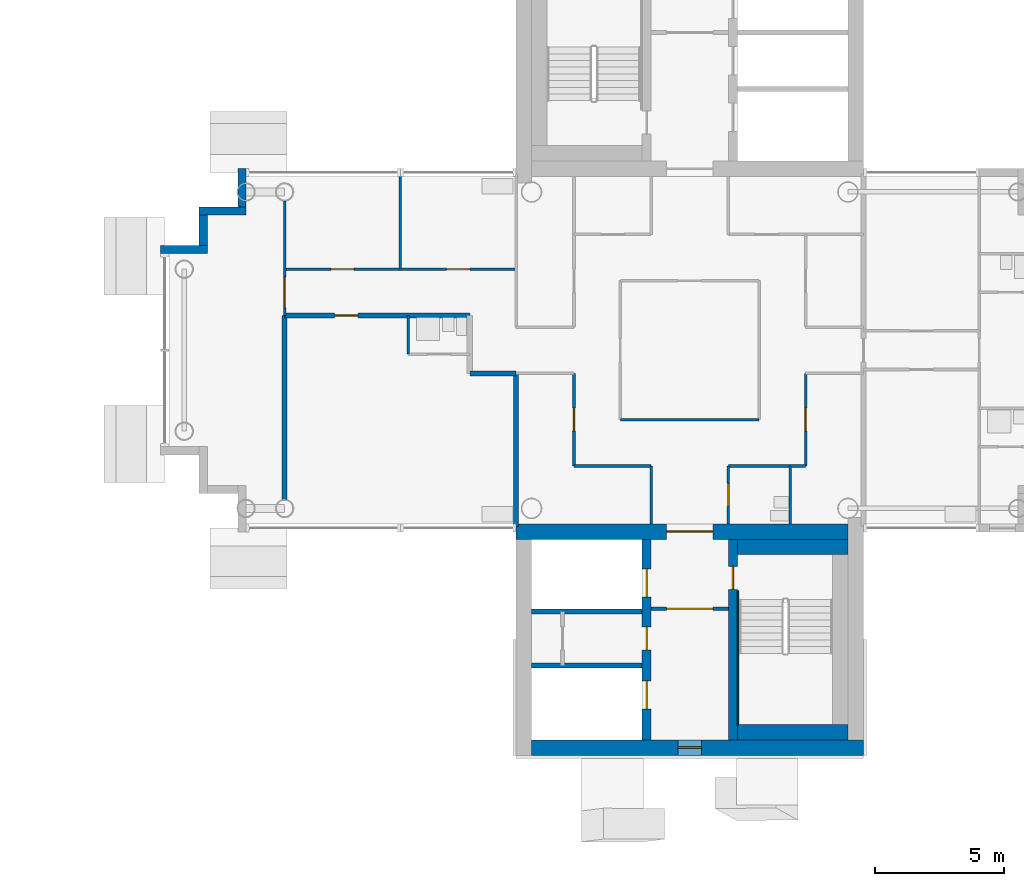
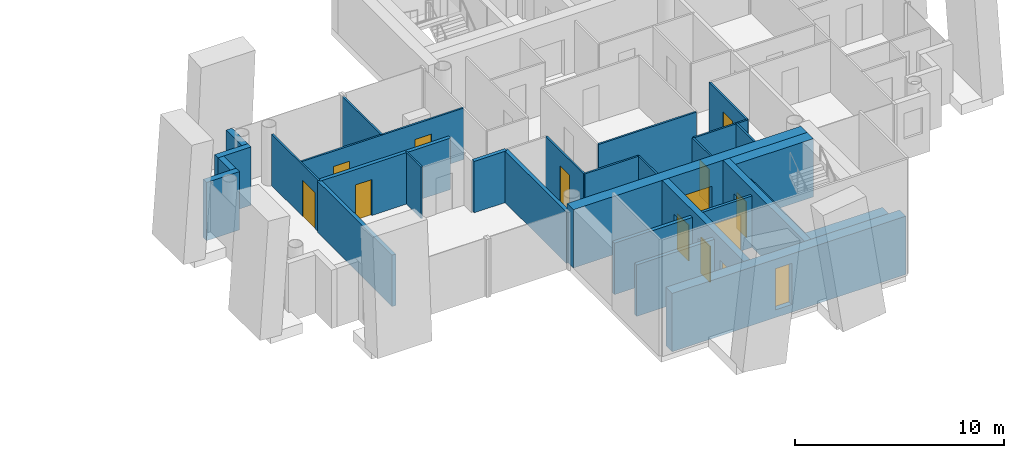
# One storey, part 9 of 19: 30 walls, 13 doors, 1 window, 14 openings.
"""IFC4 building model written with IfcOpenShell, lengths in metres."""

from ifc_helpers import new_model, si_unit, direction, frame, frame_2d, origin, place, context, subcontext, project, spatial, rectangle, extrude, material, layer, layer_set, type_object, element, fill, save


model = new_model("IFC4")

# Units and contexts
model_context = context("Model", 3, precision=1e-05, world=origin(), true_north=direction((0.0, 1.0)))
body_context = subcontext(model_context, "Body", "Model", "MODEL_VIEW")
ifc_project = project(units=[si_unit("LENGTHUNIT", "METRE"), si_unit("AREAUNIT", "SQUARE_METRE"), si_unit("VOLUMEUNIT", "CUBIC_METRE"), si_unit("PLANEANGLEUNIT", "RADIAN"), si_unit("MASSUNIT", "GRAM", prefix="KILO")], contexts=[model_context])

# Site, building, storey
site_placement = place(None, origin())
site = spatial("IfcSite", under=ifc_project, at=site_placement, CompositionType="ELEMENT")
building_placement = place(site_placement, origin())
building = spatial("IfcBuilding", under=site, at=building_placement, Name="Ipe Terrace Towers", CompositionType="ELEMENT")
storey_placement = place(building_placement, frame((0.0, 0.0, 189.199951171875)))
storey = spatial("IfcBuildingStorey", under=building, at=storey_placement, Name="L52", CompositionType="ELEMENT", Elevation=189.199951171875)

# Walls
ifc_material_1 = material(Name="Concrete C40/50 with buff precast cladding", Category="concrete")
ifc_layer_1 = layer(ifc_material_1, 0.320068359375)
ifc_layer_set_1 = layer_set([ifc_layer_1], Name="BUFF CLADDING WALL 320")
wall_type_1 = type_object("IfcWallType", Name="BUFF CLADDING WALL 320", PredefinedType="STANDARD", material=ifc_layer_set_1)
wall_1_placement = place(storey_placement, frame((18.590087890625, 7.070068359375, -0.300048828125), z_axis=(0.0, 0.0, 1.0), x_axis=(0.0, -1.0, 0.0)))
element("IfcWall", 1, at=wall_1_placement, inside=storey, type_object=wall_type_1, Name="T2-W-L52-22a wall", PredefinedType="STANDARD", context=body_context, shape_type="SweptSolid", body=[
    extrude(rectangle(XDim=1.5, YDim=0.320068359375, at=frame_2d((0.75, 0.0))), origin(), (0.0, 0.0, 1.0), 3.400146484375),
])
wall_2_placement = place(storey_placement, frame((18.75, 5.409912109375, -0.300048828125), z_axis=(0.0, 0.0, 1.0), x_axis=(-1.0, 0.0, 0.0)))
element("IfcWall", 2, at=wall_2_placement, inside=storey, type_object=wall_type_1, Name="T2-W-L52-23a wall", PredefinedType="STANDARD", context=body_context, shape_type="SweptSolid", body=[
    extrude(rectangle(XDim=1.820068359375, YDim=0.320068359375, at=frame_2d((0.91015625, 0.0))), origin(), (0.0, 0.0, 1.0), 3.400146484375),
])
wall_3_placement = place(storey_placement, frame((17.090087890625, 5.25, -0.300048828125), z_axis=(0.0, 0.0, 1.0), x_axis=(0.0, -1.0, 0.0)))
element("IfcWall", 3, at=wall_3_placement, inside=storey, type_object=wall_type_1, Name="T2-W-L52-24a wall", PredefinedType="STANDARD", context=body_context, shape_type="SweptSolid", body=[
    extrude(rectangle(XDim=1.179931640625, YDim=0.320068359375, at=frame_2d((0.58984375, 0.0))), origin(), (0.0, 0.0, 1.0), 3.400146484375),
])
wall_4_placement = place(storey_placement, frame((17.25, 3.909912109375, -0.300048828125), z_axis=(0.0, 0.0, 1.0), x_axis=(-1.0, 0.0, 0.0)))
element("IfcWall", 4, at=wall_4_placement, inside=storey, type_object=wall_type_1, Name="T2-W-L52-25a wall", PredefinedType="STANDARD", context=body_context, shape_type="SweptSolid", body=[
    extrude(rectangle(XDim=1.820068359375, YDim=0.320068359375, at=frame_2d((0.91015625, 0.0))), origin(), (0.0, 0.0, 1.0), 3.400146484375),
])
ifc_material_2 = material(Name="Gypsum board partition", Category="plasterboard")
ifc_layer_2 = layer(ifc_material_2, 0.10009765625)
ifc_layer_set_2 = layer_set([ifc_layer_2], Name="Gypsum board partition 100 mm")
wall_type_2 = type_object("IfcWallType", Name="Gypsum board partition 100 mm", PredefinedType="PARTITIONING", material=ifc_layer_set_2)
for number, where, z_axis, x_axis, name in (
    (5, (40.5, -4.5, 0.0), (0.0, 0.0, 1.0), (-1.0, 0.0, 0.0), "Gypsum board partition T2 L52 W01"),
    (6, (34.5, -4.5, 0.0), (0.0, 0.0, 1.0), (-1.0, 0.0, 0.0), "Gypsum board partition T2 L52 W02"),
):
    element("IfcWall", number, at=place(storey_placement, frame(where, z_axis=z_axis, x_axis=x_axis)), inside=storey, type_object=wall_type_2, Name=name, PredefinedType="PARTITIONING", context=body_context, shape_type="SweptSolid", body=[
        extrude(rectangle(XDim=3.0, YDim=0.10009765625, at=frame_2d((1.5, 0.0))), origin(), (0.0, 0.0, 1.0), 3.0),
    ])
wall_5_placement = place(storey_placement, frame((38.699951171875, -2.699951171875, 0.0), z_axis=(0.0, 0.0, 1.0), x_axis=(-1.0, 0.0, 0.0)))
element("IfcWall", 7, at=wall_5_placement, inside=storey, type_object=wall_type_2, Name="Gypsum board partition T2 L52 W04", PredefinedType="PARTITIONING", context=body_context, shape_type="SweptSolid", body=[
    extrude(rectangle(XDim=5.39990234375, YDim=0.10009765625, at=frame_2d((2.699951171875, 0.0))), origin(), (0.0, 0.0, 1.0), 3.0),
])

# Wall, openings, doors
wall_6_placement = place(storey_placement, frame((29.25, 3.14990234375, 0.0), z_axis=(0.0, 0.0, 1.0), x_axis=(-1.0, 0.0, 0.0)))
wall_6 = element("IfcWall", 8, at=wall_6_placement, inside=storey, type_object=wall_type_2, Name="Gypsum board partition T2 L52 W17", PredefinedType="PARTITIONING", context=body_context, shape_type="SweptSolid", body=[
    extrude(rectangle(XDim=9.0, YDim=0.10009765625, at=frame_2d((4.5, 0.0))), origin(), (0.0, 0.0, 1.0), 3.0),
])
opening_1_placement = place(wall_6_placement, frame((1.800048828125, 0.0, 0.0)))
opening_1 = element("IfcOpeningElement", 9, at=opening_1_placement, cuts=wall_6, Name="Opening T2-Z4C-12", PredefinedType="OPENING", context=body_context, shape_type="SweptSolid", body=[
    extrude(rectangle(XDim=0.89990234375, YDim=2.10009765625, at=frame_2d((0.449951171875, 1.050048828125))), frame((0.0, 0.06005859375, 0.0), z_axis=(0.0, -1.0, 0.0), x_axis=(1.0, 0.0, 0.0)), (0.0, 0.0, 1.0), 0.1201171875),
])
opening_2_placement = place(wall_6_placement, frame((6.300048828125, 0.0, 0.0)))
opening_2 = element("IfcOpeningElement", 10, at=opening_2_placement, cuts=wall_6, Name="Opening T2-Z4C-13", PredefinedType="OPENING", context=body_context, shape_type="SweptSolid", body=[
    extrude(rectangle(XDim=0.89990234375, YDim=2.10009765625, at=frame_2d((0.449951171875, 1.050048828125))), frame((0.0, 0.06005859375, 0.0), z_axis=(0.0, -1.0, 0.0), x_axis=(1.0, 0.0, 0.0)), (0.0, 0.0, 1.0), 0.1201171875),
])
ifc_material_3 = material(Name="Timber door leaf", Category="wood")
door_type_1 = type_object("IfcDoorType", Name="Lounge door 900 x 2100", OperationType="NOTDEFINED", PredefinedType="DOOR", material=ifc_material_3)
door_1_placement = place(opening_1_placement, origin())
door_1 = element("IfcDoor", 11, at=door_1_placement, inside=storey, type_object=door_type_1, Name="Lounge door T2-Z4C-12", OperationType="SINGLE_SWING_LEFT", OverallHeight=2.10009765625, OverallWidth=0.89990234375, PredefinedType="DOOR", context=body_context, shape_type="SweptSolid", body=[
    extrude(rectangle(XDim=0.89990234375, YDim=2.10009765625, at=frame_2d((0.449951171875, 1.050048828125))), frame((0.0, 0.02490234375, 0.0), z_axis=(0.0, -1.0, 0.0), x_axis=(1.0, 0.0, 0.0)), (0.0, 0.0, 1.0), 0.050048828125),
])
fill(opening_1, door_1)
door_2_placement = place(opening_2_placement, origin())
door_2 = element("IfcDoor", 12, at=door_2_placement, inside=storey, type_object=door_type_1, Name="Lounge door T2-Z4C-13", OperationType="SINGLE_SWING_RIGHT", OverallHeight=2.10009765625, OverallWidth=0.89990234375, PredefinedType="DOOR", context=body_context, shape_type="SweptSolid", body=[
    extrude(rectangle(XDim=0.89990234375, YDim=2.10009765625, at=frame_2d((0.449951171875, 1.050048828125))), frame((0.0, 0.02490234375, 0.0), z_axis=(0.0, -1.0, 0.0), x_axis=(1.0, 0.0, 0.0)), (0.0, 0.0, 1.0), 0.050048828125),
])
fill(opening_2, door_2)

# Wall, opening, door
wall_7_placement = place(storey_placement, frame((40.5, -4.5, 0.0), z_axis=(0.0, 0.0, 1.0), x_axis=(0.0, 1.0, 0.0)))
wall_7 = element("IfcWall", 13, at=wall_7_placement, inside=storey, type_object=wall_type_2, Name="Gypsum board partition T2 L52 W25", PredefinedType="PARTITIONING", context=body_context, shape_type="SweptSolid", body=[
    extrude(rectangle(XDim=3.60009765625, YDim=0.10009765625, at=frame_2d((1.800048828125, 0.0))), origin(), (0.0, 0.0, 1.0), 3.0),
])
opening_3_placement = place(wall_7_placement, frame((1.35009765625, 0.0, 0.0)))
opening_3 = element("IfcOpeningElement", 14, at=opening_3_placement, cuts=wall_7, Name="Opening T2-Z4C-07", PredefinedType="OPENING", context=body_context, shape_type="SweptSolid", body=[
    extrude(rectangle(XDim=0.89990234375, YDim=2.10009765625, at=frame_2d((0.449951171875, 1.050048828125))), frame((0.0, 0.06005859375, 0.0), z_axis=(0.0, -1.0, 0.0), x_axis=(1.0, 0.0, 0.0)), (0.0, 0.0, 1.0), 0.1201171875),
])
door_3_placement = place(opening_3_placement, origin())
door_3 = element("IfcDoor", 15, at=door_3_placement, inside=storey, type_object=door_type_1, Name="Lounge door T2-Z4C-07", OperationType="SINGLE_SWING_LEFT", OverallHeight=2.10009765625, OverallWidth=0.89990234375, PredefinedType="DOOR", context=body_context, shape_type="SweptSolid", body=[
    extrude(rectangle(XDim=0.89990234375, YDim=2.10009765625, at=frame_2d((0.449951171875, 1.050048828125))), frame((0.0, 0.02490234375, 0.0), z_axis=(0.0, -1.0, 0.0), x_axis=(1.0, 0.0, 0.0)), (0.0, 0.0, 1.0), 0.050048828125),
])
fill(opening_3, door_3)

# Wall
wall_8_placement = place(storey_placement, frame((39.89990234375, -6.75, 0.0), z_axis=(0.0, 0.0, 1.0), x_axis=(0.0, 1.0, 0.0)))
element("IfcWall", 16, at=wall_8_placement, inside=storey, type_object=wall_type_2, Name="Gypsum board partition T2 L52 W27", PredefinedType="PARTITIONING", context=body_context, shape_type="SweptSolid", body=[
    extrude(rectangle(XDim=2.25, YDim=0.10009765625, at=frame_2d((1.125, 0.0))), origin(), (0.0, 0.0, 1.0), 3.0),
])

# Wall, opening, door
wall_9_placement = place(storey_placement, frame((37.5, -6.75, 0.0), z_axis=(0.0, 0.0, 1.0), x_axis=(0.0, 1.0, 0.0)))
wall_9 = element("IfcWall", 17, at=wall_9_placement, inside=storey, type_object=wall_type_2, Name="Gypsum board partition T2 L52 W29", PredefinedType="PARTITIONING", context=body_context, shape_type="SweptSolid", body=[
    extrude(rectangle(XDim=2.25, YDim=0.10009765625, at=frame_2d((1.125, 0.0))), origin(), (0.0, 0.0, 1.0), 3.0),
])
opening_4_placement = place(wall_9_placement, frame((0.675048828125, 0.0, 0.0)))
opening_4 = element("IfcOpeningElement", 18, at=opening_4_placement, cuts=wall_9, Name="Opening T2-Z4C-03", PredefinedType="OPENING", context=body_context, shape_type="SweptSolid", body=[
    extrude(rectangle(XDim=0.89990234375, YDim=2.10009765625, at=frame_2d((0.449951171875, 1.050048828125))), frame((0.0, 0.06005859375, 0.0), z_axis=(0.0, -1.0, 0.0), x_axis=(1.0, 0.0, 0.0)), (0.0, 0.0, 1.0), 0.1201171875),
])
ifc_material_4 = material(Name="Timber door leaf", Category="wood")
door_type_2 = type_object("IfcDoorType", Name="Bathroom door 900 x 2100", OperationType="NOTDEFINED", PredefinedType="DOOR", material=ifc_material_4)
door_4_placement = place(opening_4_placement, origin())
door_4 = element("IfcDoor", 19, at=door_4_placement, inside=storey, type_object=door_type_2, Name="Bathroom door T2-Z4C-03", OperationType="SINGLE_SWING_RIGHT", OverallHeight=2.10009765625, OverallWidth=0.89990234375, PredefinedType="DOOR", context=body_context, shape_type="SweptSolid", body=[
    extrude(rectangle(XDim=0.89990234375, YDim=2.10009765625, at=frame_2d((0.449951171875, 1.050048828125))), frame((0.0, 0.02490234375, 0.0), z_axis=(0.0, -1.0, 0.0), x_axis=(1.0, 0.0, 0.0)), (0.0, 0.0, 1.0), 0.050048828125),
])
fill(opening_4, door_4)

# Wall
wall_10_placement = place(storey_placement, frame((34.5, -6.75, 0.0), z_axis=(0.0, 0.0, 1.0), x_axis=(0.0, 1.0, 0.0)))
element("IfcWall", 20, at=wall_10_placement, inside=storey, type_object=wall_type_2, Name="Gypsum board partition T2 L52 W31", PredefinedType="PARTITIONING", context=body_context, shape_type="SweptSolid", body=[
    extrude(rectangle(XDim=2.25, YDim=0.10009765625, at=frame_2d((1.125, 0.0))), origin(), (0.0, 0.0, 1.0), 3.0),
])

# Wall, opening, door
wall_11_placement = place(storey_placement, frame((31.5, -4.5, 0.0), z_axis=(0.0, 0.0, 1.0), x_axis=(0.0, 1.0, 0.0)))
wall_11 = element("IfcWall", 21, at=wall_11_placement, inside=storey, type_object=wall_type_2, Name="Gypsum board partition T2 L52 W34", PredefinedType="PARTITIONING", context=body_context, shape_type="SweptSolid", body=[
    extrude(rectangle(XDim=3.60009765625, YDim=0.10009765625, at=frame_2d((1.800048828125, 0.0))), origin(), (0.0, 0.0, 1.0), 3.0),
])
opening_5_placement = place(wall_11_placement, frame((1.35009765625, 0.0, 0.0)))
opening_5 = element("IfcOpeningElement", 22, at=opening_5_placement, cuts=wall_11, Name="Opening T2-Z4C-06", PredefinedType="OPENING", context=body_context, shape_type="SweptSolid", body=[
    extrude(rectangle(XDim=0.89990234375, YDim=2.10009765625, at=frame_2d((0.449951171875, 1.050048828125))), frame((0.0, 0.06005859375, 0.0), z_axis=(0.0, -1.0, 0.0), x_axis=(1.0, 0.0, 0.0)), (0.0, 0.0, 1.0), 0.1201171875),
])
door_5_placement = place(opening_5_placement, origin())
door_5 = element("IfcDoor", 23, at=door_5_placement, inside=storey, type_object=door_type_1, Name="Lounge door T2-Z4C-06", OperationType="SINGLE_SWING_LEFT", OverallHeight=2.10009765625, OverallWidth=0.89990234375, PredefinedType="DOOR", context=body_context, shape_type="SweptSolid", body=[
    extrude(rectangle(XDim=0.89990234375, YDim=2.10009765625, at=frame_2d((0.449951171875, 1.050048828125))), frame((0.0, 0.02490234375, 0.0), z_axis=(0.0, -1.0, 0.0), x_axis=(1.0, 0.0, 0.0)), (0.0, 0.0, 1.0), 0.050048828125),
])
fill(opening_5, door_5)

# Walls
wall_12_placement = place(storey_placement, frame((25.050048828125, -0.14990234375, 0.0), z_axis=(0.0, 0.0, 1.0), x_axis=(0.0, 1.0, 0.0)))
element("IfcWall", 24, at=wall_12_placement, inside=storey, type_object=wall_type_2, Name="Gypsum board partition T2 L52 W39", PredefinedType="PARTITIONING", context=body_context, shape_type="SweptSolid", body=[
    extrude(rectangle(XDim=1.5, YDim=0.10009765625, at=frame_2d((0.75, 0.0))), origin(), (0.0, 0.0, 1.0), 3.0),
])
wall_13_placement = place(storey_placement, frame((24.75, 3.14990234375, 0.0), z_axis=(0.0, 0.0, 1.0), x_axis=(0.0, 1.0, 0.0)))
element("IfcWall", 25, at=wall_13_placement, inside=storey, type_object=wall_type_2, Name="Gypsum board partition T2 L52 W40", PredefinedType="PARTITIONING", context=body_context, shape_type="SweptSolid", body=[
    extrude(rectangle(XDim=3.7001953125, YDim=0.10009765625, at=frame_2d((1.85009765625, 0.0))), origin(), (0.0, 0.0, 1.0), 3.0),
])

# Wall, opening, door
wall_14_placement = place(storey_placement, frame((20.25, 1.35009765625, 0.0), z_axis=(0.0, 0.0, 1.0), x_axis=(0.0, 1.0, 0.0)))
wall_14 = element("IfcWall", 26, at=wall_14_placement, inside=storey, type_object=wall_type_2, Name="Gypsum board partition T2 L52 W41", PredefinedType="PARTITIONING", context=body_context, shape_type="SweptSolid", body=[
    extrude(rectangle(XDim=4.449951171875, YDim=0.10009765625, at=frame_2d((2.22509765625, 0.0))), origin(), (0.0, 0.0, 1.0), 3.0),
])
opening_6_placement = place(wall_14_placement, frame((0.300048828125, 0.0, 0.0)))
opening_6 = element("IfcOpeningElement", 27, at=opening_6_placement, cuts=wall_14, Name="Opening T2-Z4C-14", PredefinedType="OPENING", context=body_context, shape_type="SweptSolid", body=[
    extrude(rectangle(XDim=1.199951171875, YDim=2.10009765625, at=frame_2d((0.60009765625, 1.050048828125))), frame((0.0, 0.06005859375, 0.0), z_axis=(0.0, -1.0, 0.0), x_axis=(1.0, 0.0, 0.0)), (0.0, 0.0, 1.0), 0.1201171875),
])
ifc_material_5 = material(Name="Timber door leaf", Category="wood")
door_type_3 = type_object("IfcDoorType", Name="Lounge door 1200 x 2100", OperationType="NOTDEFINED", PredefinedType="DOOR", material=ifc_material_5)
door_6_placement = place(opening_6_placement, origin())
door_6 = element("IfcDoor", 28, at=door_6_placement, inside=storey, type_object=door_type_3, Name="Lounge door T2-Z4C-14", OperationType="SINGLE_SWING_RIGHT", OverallHeight=2.10009765625, OverallWidth=1.199951171875, PredefinedType="DOOR", context=body_context, shape_type="SweptSolid", body=[
    extrude(rectangle(XDim=1.199951171875, YDim=2.10009765625, at=frame_2d((0.60009765625, 1.050048828125))), frame((0.0, 0.02490234375, 0.0), z_axis=(0.0, -1.0, 0.0), x_axis=(1.0, 0.0, 0.0)), (0.0, 0.0, 1.0), 0.050048828125),
])
fill(opening_6, door_6)

ifc_material_6 = material(Name="Gypsum board partition", Category="plasterboard")
ifc_layer_3 = layer(ifc_material_6, 0.14990234375)
ifc_layer_set_3 = layer_set([ifc_layer_3], Name="Gypsum board partition 150 mm")
wall_type_3 = type_object("IfcWallType", Name="Gypsum board partition 150 mm", PredefinedType="PARTITIONING", material=ifc_layer_set_3)
wall_15_placement = place(storey_placement, frame((34.5, -10.050048828125, 0.0), z_axis=(0.0, 0.0, 1.0), x_axis=(1.0, 0.0, 0.0)))
wall_15 = element("IfcWall", 29, at=wall_15_placement, inside=storey, type_object=wall_type_3, Name="Gypsum board partition T2 L52 t2c2-lobby-wall", PredefinedType="PARTITIONING", context=body_context, shape_type="SweptSolid", body=[
    extrude(rectangle(XDim=3.0, YDim=0.14990234375, at=frame_2d((1.5, 0.0))), origin(), (0.0, 0.0, 1.0), 3.0),
])
opening_7_placement = place(wall_15_placement, frame((0.60009765625, 0.0, 0.0)))
opening_7 = element("IfcOpeningElement", 30, at=opening_7_placement, cuts=wall_15, Name="Opening T2C2-VD", PredefinedType="OPENING", context=body_context, shape_type="SweptSolid", body=[
    extrude(rectangle(XDim=1.800048828125, YDim=2.10009765625, at=frame_2d((0.89990234375, 1.050048828125))), frame((0.0, 0.0849609375, 0.0), z_axis=(0.0, -1.0, 0.0), x_axis=(1.0, 0.0, 0.0)), (0.0, 0.0, 1.0), 0.169921875),
])
ifc_material_7 = material(Name="Fire-rated timber door leaf", Category="wood")
door_type_4 = type_object("IfcDoorType", Name="Lobby door 1800 x 2100 FD60", OperationType="NOTDEFINED", PredefinedType="DOOR", material=ifc_material_7)
door_7_placement = place(opening_7_placement, origin())
door_7 = element("IfcDoor", 31, at=door_7_placement, inside=storey, type_object=door_type_4, Name="Lobby door T2C2-VD", OperationType="SINGLE_SWING_LEFT", OverallHeight=2.10009765625, OverallWidth=1.800048828125, PredefinedType="DOOR", context=body_context, shape_type="SweptSolid", body=[
    extrude(rectangle(XDim=1.800048828125, YDim=2.10009765625, at=frame_2d((0.89990234375, 1.050048828125))), frame((0.0, 0.02490234375, 0.0), z_axis=(0.0, -1.0, 0.0), x_axis=(1.0, 0.0, 0.0)), (0.0, 0.0, 1.0), 0.050048828125),
])
fill(opening_7, door_7)

# Walls
ifc_material_8 = material(Name="Gypsum board party wall", Category="plasterboard")
ifc_layer_4 = layer(ifc_material_8, 0.199951171875)
ifc_layer_set_4 = layer_set([ifc_layer_4], Name="Gypsum board party wall 200 mm")
wall_type_4 = type_object("IfcWallType", Name="Gypsum board party wall 200 mm", PredefinedType="SOLIDWALL", material=ifc_layer_set_4)
for number, where, z_axis, x_axis, name in (
    (32, (29.85009765625, -12.25, 0.0), (0.0, 0.0, 1.0), (1.0, 0.0, 0.0), "Gypsum board party wall T2 L52 t2c2-shaft-div2"),
    (33, (29.85009765625, -10.14990234375, 0.0), (0.0, 0.0, 1.0), (1.0, 0.0, 0.0), "Gypsum board party wall T2 L52 t2c2-shaft-div1"),
):
    element("IfcWall", number, at=place(storey_placement, frame(where, z_axis=z_axis, x_axis=x_axis)), inside=storey, type_object=wall_type_4, Name=name, PredefinedType="SOLIDWALL", context=body_context, shape_type="SweptSolid", body=[
        extrude(rectangle(XDim=4.2998046875, YDim=0.199951171875, at=frame_2d((2.14990234375, 0.0))), origin(), (0.0, 0.0, 1.0), 3.0),
    ])
wall_16_placement = place(storey_placement, frame((29.25, -0.89990234375, 0.0), z_axis=(0.0, 0.0, 1.0), x_axis=(-1.0, 0.0, 0.0)))
element("IfcWall", 34, at=wall_16_placement, inside=storey, type_object=wall_type_4, Name="Gypsum board party wall T2 L52 W08", PredefinedType="SOLIDWALL", context=body_context, shape_type="SweptSolid", body=[
    extrude(rectangle(XDim=1.800048828125, YDim=0.199951171875, at=frame_2d((0.89990234375, 0.0))), origin(), (0.0, 0.0, 1.0), 3.0),
])

# Wall, opening, door
wall_17_placement = place(storey_placement, frame((27.449951171875, 1.35009765625, 0.0), z_axis=(0.0, 0.0, 1.0), x_axis=(-1.0, 0.0, 0.0)))
wall_17 = element("IfcWall", 35, at=wall_17_placement, inside=storey, type_object=wall_type_4, Name="Gypsum board party wall T2 L52 W14", PredefinedType="SOLIDWALL", context=body_context, shape_type="SweptSolid", body=[
    extrude(rectangle(XDim=7.199951171875, YDim=0.199951171875, at=frame_2d((3.60009765625, 0.0))), origin(), (0.0, 0.0, 1.0), 3.0),
])
opening_8_placement = place(wall_17_placement, frame((4.35009765625, 0.0, 0.0)))
opening_8 = element("IfcOpeningElement", 36, at=opening_8_placement, cuts=wall_17, Name="Opening T2-Z4C-10", PredefinedType="OPENING", context=body_context, shape_type="SweptSolid", body=[
    extrude(rectangle(XDim=0.89990234375, YDim=2.10009765625, at=frame_2d((0.449951171875, 1.050048828125))), frame((0.0, 0.10986328125, 0.0), z_axis=(0.0, -1.0, 0.0), x_axis=(1.0, 0.0, 0.0)), (0.0, 0.0, 1.0), 0.219970703125),
])
ifc_material_9 = material(Name="Fire-rated timber door leaf", Category="wood")
door_type_5 = type_object("IfcDoorType", Name="Flat entrance door 900 x 2100 FD30S", OperationType="NOTDEFINED", PredefinedType="DOOR", material=ifc_material_9)
door_8_placement = place(opening_8_placement, origin())
door_8 = element("IfcDoor", 37, at=door_8_placement, inside=storey, type_object=door_type_5, Name="Flat entrance door T2-Z4C-10", OperationType="SINGLE_SWING_LEFT", OverallHeight=2.10009765625, OverallWidth=0.89990234375, PredefinedType="DOOR", context=body_context, shape_type="SweptSolid", body=[
    extrude(rectangle(XDim=0.89990234375, YDim=2.10009765625, at=frame_2d((0.449951171875, 1.050048828125))), frame((0.0, 0.02490234375, 0.0), z_axis=(0.0, -1.0, 0.0), x_axis=(1.0, 0.0, 0.0)), (0.0, 0.0, 1.0), 0.050048828125),
])
fill(opening_8, door_8)

# Walls
wall_18_placement = place(storey_placement, frame((29.25, -6.85009765625, 0.0), z_axis=(0.0, 0.0, 1.0), x_axis=(0.0, 1.0, 0.0)))
element("IfcWall", 38, at=wall_18_placement, inside=storey, type_object=wall_type_4, Name="Gypsum board party wall T2 L52 W37", PredefinedType="SOLIDWALL", context=body_context, shape_type="SweptSolid", body=[
    extrude(rectangle(XDim=5.9501953125, YDim=0.199951171875, at=frame_2d((2.97509765625, 0.0))), origin(), (0.0, 0.0, 1.0), 3.0),
])
wall_19_placement = place(storey_placement, frame((20.25, -5.800048828125, 0.0), z_axis=(0.0, 0.0, 1.0), x_axis=(0.0, 1.0, 0.0)))
element("IfcWall", 39, at=wall_19_placement, inside=storey, type_object=wall_type_4, Name="Gypsum board party wall T2 L52 W42", PredefinedType="SOLIDWALL", context=body_context, shape_type="SweptSolid", body=[
    extrude(rectangle(XDim=7.150146484375, YDim=0.199951171875, at=frame_2d((3.5751953125, 0.0))), origin(), (0.0, 0.0, 1.0), 3.0),
])

# Wall, openings, doors
ifc_material_10 = material(Name="Concrete C40/50", Category="concrete")
ifc_layer_5 = layer(ifc_material_10, 0.35009765625)
ifc_layer_set_5 = layer_set([ifc_layer_5], Name="RW350 CORE SPINE WALL 350 C40-50")
wall_type_5 = type_object("IfcWallType", Name="RW350 CORE SPINE WALL 350 C40-50", PredefinedType="SHEAR", material=ifc_layer_set_5)
wall_20_placement = place(storey_placement, frame((34.324951171875, -15.14990234375, 0.0), z_axis=(0.0, 0.0, 1.0), x_axis=(0.0, 1.0, 0.0)))
wall_20 = element("IfcWall", 40, at=wall_20_placement, inside=storey, type_object=wall_type_5, Name="Core spine wall T2-C2-Z4-SW1", PredefinedType="SHEAR", context=body_context, shape_type="SweptSolid", body=[
    extrude(rectangle(XDim=7.7998046875, YDim=0.35009765625, at=frame_2d((3.89990234375, 0.0))), origin(), (0.0, 0.0, 1.0), 3.400146484375),
])
opening_9_placement = place(wall_20_placement, frame((5.550048828125, 0.0, 0.0)))
opening_9 = element("IfcOpeningElement", 41, at=opening_9_placement, cuts=wall_20, Name="Opening T2C2-LD1", PredefinedType="OPENING", context=body_context, shape_type="SweptSolid", body=[
    extrude(rectangle(XDim=1.10009765625, YDim=2.10009765625, at=frame_2d((0.550048828125, 1.050048828125))), frame((0.0, 0.18505859375, 0.0), z_axis=(0.0, -1.0, 0.0), x_axis=(1.0, 0.0, 0.0)), (0.0, 0.0, 1.0), 0.3701171875),
])
opening_10_placement = place(wall_20_placement, frame((1.199951171875, 0.0, 0.0)))
opening_10 = element("IfcOpeningElement", 42, at=opening_10_placement, cuts=wall_20, Name="Opening T2C2-LD3", PredefinedType="OPENING", context=body_context, shape_type="SweptSolid", body=[
    extrude(rectangle(XDim=1.10009765625, YDim=2.10009765625, at=frame_2d((0.550048828125, 1.050048828125))), frame((0.0, 0.18505859375, 0.0), z_axis=(0.0, -1.0, 0.0), x_axis=(1.0, 0.0, 0.0)), (0.0, 0.0, 1.0), 0.3701171875),
])
opening_11_placement = place(wall_20_placement, frame((3.5, 0.0, 0.0)))
opening_11 = element("IfcOpeningElement", 43, at=opening_11_placement, cuts=wall_20, Name="Opening T2C2-R1", PredefinedType="OPENING", context=body_context, shape_type="SweptSolid", body=[
    extrude(rectangle(XDim=0.89990234375, YDim=2.10009765625, at=frame_2d((0.449951171875, 1.050048828125))), frame((0.0, 0.18505859375, 0.0), z_axis=(0.0, -1.0, 0.0), x_axis=(1.0, 0.0, 0.0)), (0.0, 0.0, 1.0), 0.3701171875),
])
ifc_material_11 = material(Name="Fire-rated timber door leaf", Category="wood")
door_type_6 = type_object("IfcDoorType", Name="Sliding door 1100 x 2100 FD60", OperationType="SLIDING_TO_LEFT", PredefinedType="DOOR", material=ifc_material_11)
door_9_placement = place(opening_9_placement, origin())
door_9 = element("IfcDoor", 44, at=door_9_placement, inside=storey, type_object=door_type_6, Name="Sliding door T2C2-LD1", OperationType="SLIDING_TO_LEFT", OverallHeight=2.10009765625, OverallWidth=1.10009765625, PredefinedType="DOOR", context=body_context, shape_type="SweptSolid", body=[
    extrude(rectangle(XDim=1.10009765625, YDim=2.10009765625, at=frame_2d((0.550048828125, 1.050048828125))), frame((0.0, 0.02490234375, 0.0), z_axis=(0.0, -1.0, 0.0), x_axis=(1.0, 0.0, 0.0)), (0.0, 0.0, 1.0), 0.050048828125),
])
fill(opening_9, door_9)
door_10_placement = place(opening_10_placement, origin())
door_10 = element("IfcDoor", 45, at=door_10_placement, inside=storey, type_object=door_type_6, Name="Sliding door T2C2-LD3", OperationType="SLIDING_TO_LEFT", OverallHeight=2.10009765625, OverallWidth=1.10009765625, PredefinedType="DOOR", context=body_context, shape_type="SweptSolid", body=[
    extrude(rectangle(XDim=1.10009765625, YDim=2.10009765625, at=frame_2d((0.550048828125, 1.050048828125))), frame((0.0, 0.02490234375, 0.0), z_axis=(0.0, -1.0, 0.0), x_axis=(1.0, 0.0, 0.0)), (0.0, 0.0, 1.0), 0.050048828125),
])
fill(opening_10, door_10)
ifc_material_12 = material(Name="Timber door leaf", Category="wood")
door_type_7 = type_object("IfcDoorType", Name="Store door 900 x 2100", OperationType="NOTDEFINED", PredefinedType="DOOR", material=ifc_material_12)
door_11_placement = place(opening_11_placement, origin())
door_11 = element("IfcDoor", 46, at=door_11_placement, inside=storey, type_object=door_type_7, Name="Store door T2C2-R1", OperationType="SINGLE_SWING_LEFT", OverallHeight=2.10009765625, OverallWidth=0.89990234375, PredefinedType="DOOR", context=body_context, shape_type="SweptSolid", body=[
    extrude(rectangle(XDim=0.89990234375, YDim=2.10009765625, at=frame_2d((0.449951171875, 1.050048828125))), frame((0.0, 0.02490234375, 0.0), z_axis=(0.0, -1.0, 0.0), x_axis=(1.0, 0.0, 0.0)), (0.0, 0.0, 1.0), 0.050048828125),
])
fill(opening_11, door_11)

# Wall, opening, door
wall_21_placement = place(storey_placement, frame((37.675048828125, -15.14990234375, 0.0), z_axis=(0.0, 0.0, 1.0), x_axis=(0.0, 1.0, 0.0)))
wall_21 = element("IfcWall", 47, at=wall_21_placement, inside=storey, type_object=wall_type_5, Name="Core spine wall T2-C2-Z4-SW2", PredefinedType="SHEAR", context=body_context, shape_type="SweptSolid", body=[
    extrude(rectangle(XDim=7.7998046875, YDim=0.35009765625, at=frame_2d((3.89990234375, 0.0))), origin(), (0.0, 0.0, 1.0), 3.400146484375),
])
opening_12_placement = place(wall_21_placement, frame((5.85009765625, 0.0, 0.0)))
opening_12 = element("IfcOpeningElement", 48, at=opening_12_placement, cuts=wall_21, Name="Opening T2C2-SD", PredefinedType="OPENING", context=body_context, shape_type="SweptSolid", body=[
    extrude(rectangle(XDim=0.89990234375, YDim=2.10009765625, at=frame_2d((0.449951171875, 1.050048828125))), frame((0.0, 0.18505859375, 0.0), z_axis=(0.0, -1.0, 0.0), x_axis=(1.0, 0.0, 0.0)), (0.0, 0.0, 1.0), 0.3701171875),
])
ifc_material_13 = material(Name="Fire-rated timber door leaf", Category="wood")
door_type_8 = type_object("IfcDoorType", Name="Stair door 900 x 2100 FD60", OperationType="NOTDEFINED", PredefinedType="DOOR", material=ifc_material_13)
door_12_placement = place(opening_12_placement, origin())
door_12 = element("IfcDoor", 49, at=door_12_placement, inside=storey, type_object=door_type_8, Name="Stair door T2C2-SD", OperationType="SINGLE_SWING_RIGHT", OverallHeight=2.10009765625, OverallWidth=0.89990234375, PredefinedType="DOOR", context=body_context, shape_type="SweptSolid", body=[
    extrude(rectangle(XDim=0.89990234375, YDim=2.10009765625, at=frame_2d((0.449951171875, 1.050048828125))), frame((0.0, 0.02490234375, 0.0), z_axis=(0.0, -1.0, 0.0), x_axis=(1.0, 0.0, 0.0)), (0.0, 0.0, 1.0), 0.050048828125),
])
fill(opening_12, door_12)

# Walls
ifc_material_14 = material(Name="Concrete C40/50", Category="concrete")
ifc_layer_6 = layer(ifc_material_14, 0.050048828125)
ifc_layer_set_6 = layer_set([ifc_layer_6], Name="RW50 CORE INFILL WALL 50 C40-50")
wall_type_6 = type_object("IfcWallType", Name="RW50 CORE INFILL WALL 50 C40-50", PredefinedType="SHEAR", material=ifc_layer_set_6)
wall_22_placement = place(storey_placement, frame((37.875, -9.35009765625, 0.0), z_axis=(0.0, 0.0, 1.0), x_axis=(0.0, -1.0, 0.0)))
element("IfcWall", 50, at=wall_22_placement, inside=storey, type_object=wall_type_6, Name="Core infill wall T2-C2-spine-b", PredefinedType="SHEAR", context=body_context, shape_type="SweptSolid", body=[
    extrude(rectangle(XDim=5.199951171875, YDim=0.050048828125, at=frame_2d((2.60009765625, 0.0))), origin(), (0.0, 0.0, 1.0), 3.400146484375),
])
ifc_material_15 = material(Name="Concrete C40/50", Category="concrete")
ifc_layer_7 = layer(ifc_material_15, 0.60009765625)
ifc_layer_set_7 = layer_set([ifc_layer_7], Name="RW600 CORE INFILL WALL 600 C40-50")
wall_type_7 = type_object("IfcWallType", Name="RW600 CORE INFILL WALL 600 C40-50", PredefinedType="SHEAR", material=ifc_layer_set_7)
for number, where, z_axis, x_axis, name in (
    (51, (37.85009765625, -14.85009765625, 0.0), (0.0, 0.0, 1.0), (1.0, 0.0, 0.0), "Core infill wall T2-C2-far"),
    (52, (37.85009765625, -7.64990234375, 0.0), (0.0, 0.0, 1.0), (1.0, 0.0, 0.0), "Core infill wall T2-C2-near"),
):
    element("IfcWall", number, at=place(storey_placement, frame(where, z_axis=z_axis, x_axis=x_axis)), inside=storey, type_object=wall_type_7, Name=name, PredefinedType="SHEAR", context=body_context, shape_type="SweptSolid", body=[
        extrude(rectangle(XDim=4.2998046875, YDim=0.60009765625, at=frame_2d((2.14990234375, 0.0))), origin(), (0.0, 0.0, 1.0), 3.400146484375),
    ])

# Wall, opening, window
ifc_material_16 = material(Name="Concrete C40/50", Category="concrete")
ifc_layer_8 = layer(ifc_material_16, 0.60009765625)
ifc_layer_set_8 = layer_set([ifc_layer_8], Name="RW600 CORE WALL 600 C40-50")
wall_type_8 = type_object("IfcWallType", Name="RW600 CORE WALL 600 C40-50", PredefinedType="SHEAR", material=ifc_layer_set_8)
wall_23_placement = place(storey_placement, frame((29.85009765625, -15.449951171875, 0.0), z_axis=(0.0, 0.0, 1.0), x_axis=(1.0, 0.0, 0.0)))
wall_23 = element("IfcWall", 53, at=wall_23_placement, inside=storey, type_object=wall_type_8, Name="Core wall T2-C2-Z4-W01", PredefinedType="SHEAR", context=body_context, shape_type="SweptSolid", body=[
    extrude(rectangle(XDim=12.89990234375, YDim=0.60009765625, at=frame_2d((6.449951171875, 0.0))), origin(), (0.0, 0.0, 1.0), 3.400146484375),
])
opening_13_placement = place(wall_23_placement, frame((5.699951171875, 0.0, 0.449951171875)))
opening_13 = element("IfcOpeningElement", 54, at=opening_13_placement, cuts=wall_23, Name="Opening T2-C2-W-01-L52", PredefinedType="OPENING", context=body_context, shape_type="SweptSolid", body=[
    extrude(rectangle(XDim=0.89990234375, YDim=2.39990234375, at=frame_2d((0.449951171875, 1.199951171875))), frame((0.0, 0.31005859375, 0.0), z_axis=(0.0, -1.0, 0.0), x_axis=(1.0, 0.0, 0.0)), (0.0, 0.0, 1.0), 0.6201171875),
])
ifc_material_17 = material(Name="Fire-resistant glazing EI 60", Category="glass")
window_type = type_object("IfcWindowType", Name="CORRIDOR END SLOT WINDOW 900 x 2400 EI 60", PartitioningType="SINGLE_PANEL", PredefinedType="WINDOW", material=ifc_material_17)
window_placement = place(opening_13_placement, origin())
window = element("IfcWindow", 55, at=window_placement, inside=storey, type_object=window_type, Name="W-01 window", OverallHeight=2.39990234375, OverallWidth=0.89990234375, PartitioningType="SINGLE_PANEL", PredefinedType="WINDOW", context=body_context, shape_type="SweptSolid", body=[
    extrude(rectangle(XDim=0.89990234375, YDim=2.39990234375, at=frame_2d((0.449951171875, 1.199951171875))), frame((0.0, 0.030029296875, 0.0), z_axis=(0.0, -1.0, 0.0), x_axis=(1.0, 0.0, 0.0)), (0.0, 0.0, 1.0), 0.06005859375),
])
fill(opening_13, window)

# Wall, opening, door
wall_24_placement = place(storey_placement, frame((42.14990234375, -7.050048828125, 0.0), z_axis=(0.0, 0.0, 1.0), x_axis=(-1.0, 0.0, 0.0)))
wall_24 = element("IfcWall", 56, at=wall_24_placement, inside=storey, type_object=wall_type_8, Name="Core wall T2-C2-Z4-W03", PredefinedType="SHEAR", context=body_context, shape_type="SweptSolid", body=[
    extrude(rectangle(XDim=12.89990234375, YDim=0.60009765625, at=frame_2d((6.449951171875, 0.0))), origin(), (0.0, 0.0, 1.0), 3.400146484375),
])
opening_14_placement = place(wall_24_placement, frame((5.25, 0.0, 0.0)))
opening_14 = element("IfcOpeningElement", 57, at=opening_14_placement, cuts=wall_24, Name="Opening T2C2-ND", PredefinedType="OPENING", context=body_context, shape_type="SweptSolid", body=[
    extrude(rectangle(XDim=1.800048828125, YDim=2.10009765625, at=frame_2d((0.89990234375, 1.050048828125))), frame((0.0, 0.31005859375, 0.0), z_axis=(0.0, -1.0, 0.0), x_axis=(1.0, 0.0, 0.0)), (0.0, 0.0, 1.0), 0.6201171875),
])
ifc_material_18 = material(Name="Fire-rated timber door leaf", Category="wood")
door_type_9 = type_object("IfcDoorType", Name="Fire door 1800 x 2100 FD30S", OperationType="NOTDEFINED", PredefinedType="DOOR", material=ifc_material_18)
door_13_placement = place(opening_14_placement, origin())
door_13 = element("IfcDoor", 58, at=door_13_placement, inside=storey, type_object=door_type_9, Name="Fire door T2C2-ND", OperationType="SINGLE_SWING_LEFT", OverallHeight=2.10009765625, OverallWidth=1.800048828125, PredefinedType="DOOR", context=body_context, shape_type="SweptSolid", body=[
    extrude(rectangle(XDim=1.800048828125, YDim=2.10009765625, at=frame_2d((0.89990234375, 1.050048828125))), frame((0.0, 0.02490234375, 0.0), z_axis=(0.0, -1.0, 0.0), x_axis=(1.0, 0.0, 0.0)), (0.0, 0.0, 1.0), 0.050048828125),
])
fill(opening_14, door_13)

save(model, "model.ifc")
